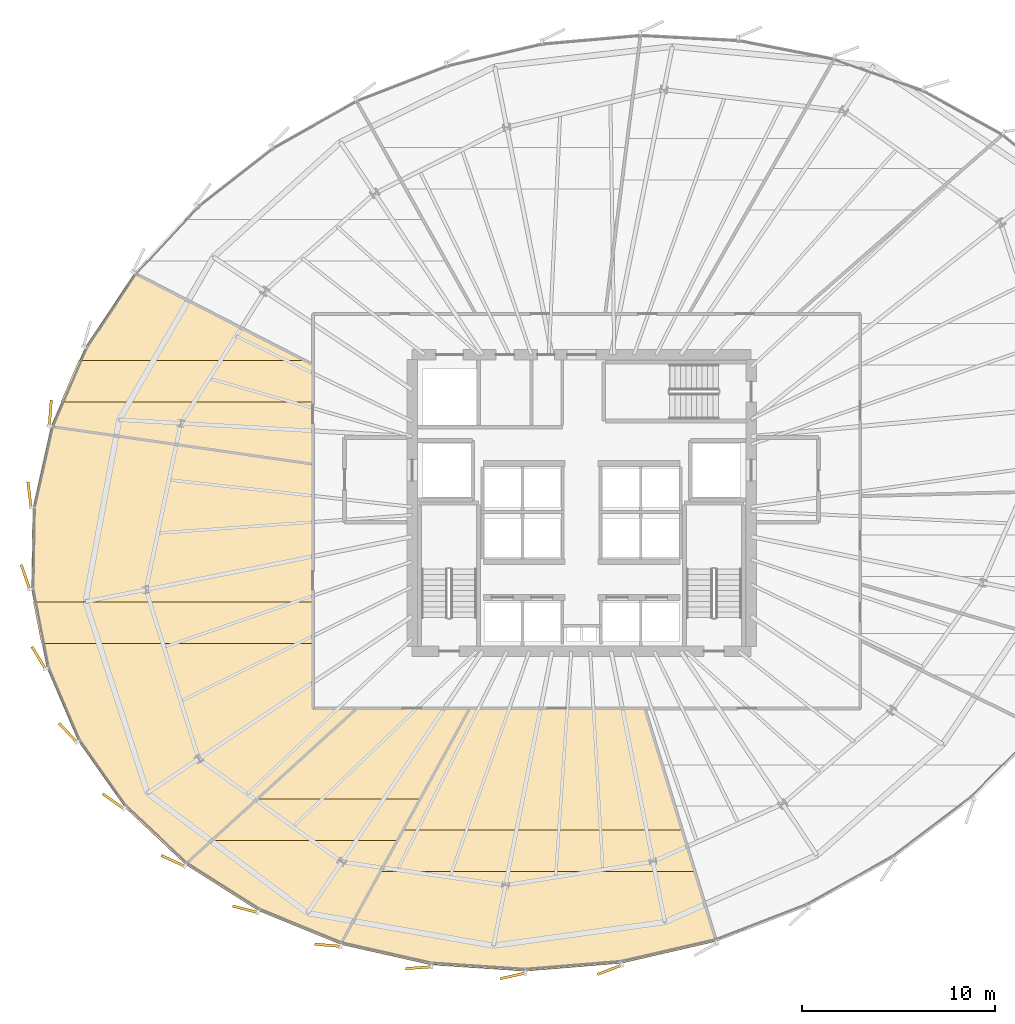
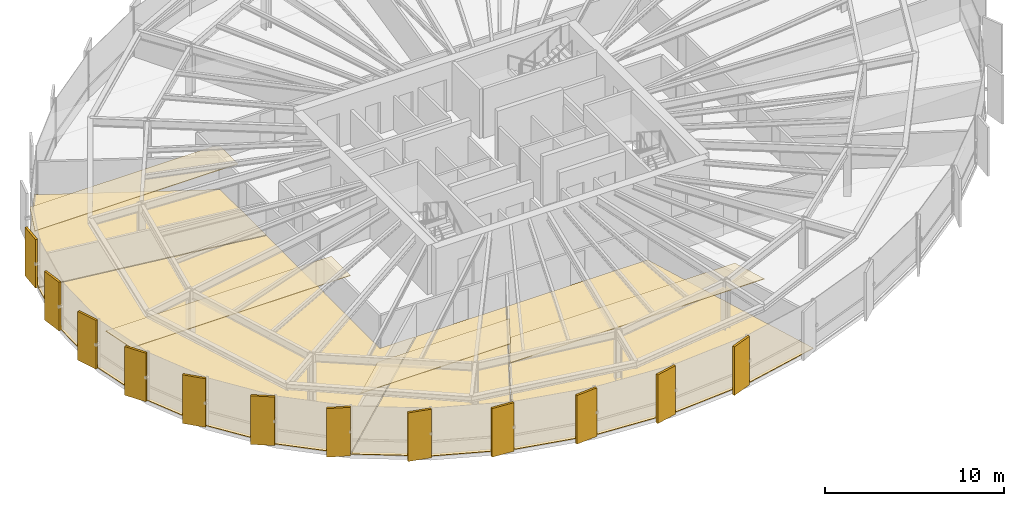
# One storey, part 32 of 35: 20 coverings.
"""IFC4 building model written with IfcOpenShell, lengths in metres."""

from ifc_helpers import new_model, si_unit, direction, frame, origin, origin_2d, place, context, subcontext, project, spatial, polyline, rectangle, outline, extrude, source, transform, mapped, material, layer, layer_set, type_object, element, save


model = new_model("IFC4")

# Units and contexts
model_context = context("Model", 3, precision=1e-05, world=origin(), true_north=direction((0.0, 1.0)))
body_context = subcontext(model_context, "Body", "Model", "MODEL_VIEW")
ifc_project = project(units=[si_unit("LENGTHUNIT", "METRE"), si_unit("AREAUNIT", "SQUARE_METRE"), si_unit("VOLUMEUNIT", "CUBIC_METRE"), si_unit("PLANEANGLEUNIT", "RADIAN"), si_unit("MASSUNIT", "GRAM", prefix="KILO"), si_unit("THERMODYNAMICTEMPERATUREUNIT", "KELVIN")], contexts=[model_context])

# Site, building, storey
site_placement = place(None, origin())
site = spatial("IfcSite", under=ifc_project, at=site_placement, CompositionType="ELEMENT")
building_placement = place(site_placement, origin())
building = spatial("IfcBuilding", under=site, at=building_placement, Name="Kethvar Cultural Tower", CompositionType="ELEMENT")
storey_placement = place(building_placement, frame((0.0, 0.0, 103.60009765625)))
storey = spatial("IfcBuildingStorey", under=building, at=storey_placement, Name="L25", CompositionType="ELEMENT", Elevation=103.60009765625)

# Coverings
ifc_material_1 = material(Name="Acoustic Mineral Fibre Ceiling")
ifc_layer_1 = layer(ifc_material_1, 0.0400390625, Name="Acoustic Mineral Fibre Ceiling")
ifc_layer_set_1 = layer_set([ifc_layer_1], Name="Acoustic Mineral Fibre Ceiling (40 mm)")
covering_type_1 = type_object("IfcCoveringType", Name="CV-ACOUSTIC-CEIL", PredefinedType="CEILING", material=ifc_layer_set_1)
covering_1_placement = place(storey_placement, frame((0.0, 0.0, 2.889892578125)))
element("IfcCovering", 1, at=covering_1_placement, inside=storey, type_object=covering_type_1, Name="L25 Room 01 Acoustic Ceiling Panel", PredefinedType="CEILING", context=body_context, shape_type="SweptSolid", body=[
    extrude(outline(polyline([(29.962890625, 12.4375), (38.458251953125, 12.4375), (37.28759765625, 10.28759765625), (27.610595703125, 10.28759765625), (29.962890625, 12.4375)])), origin(), (0.0, 0.0, 1.0), 0.0400390625),
])
covering_2_placement = place(storey_placement, frame((0.0, 0.0, 2.889892578125)))
element("IfcCovering", 2, at=covering_2_placement, inside=storey, type_object=covering_type_1, Name="L25 Room 02 Acoustic Ceiling Panel", PredefinedType="CEILING", context=body_context, shape_type="SweptSolid", body=[
    extrude(outline(polyline([(37.533935546875, 10.823486328125), (52.04345703125, 10.823486328125), (52.705078125, 8.673583984375), (36.36328125, 8.673583984375), (37.533935546875, 10.823486328125)])), origin(), (0.0, 0.0, 1.0), 0.0400390625),
])
covering_3_placement = place(storey_placement, frame((0.0, 0.0, 2.889892578125)))
element("IfcCovering", 3, at=covering_3_placement, inside=storey, type_object=covering_type_1, Name="L25 Room 11 Acoustic Ceiling Panel", PredefinedType="CEILING", context=body_context, shape_type="SweptSolid", body=[
    extrude(outline(polyline([(20.697998046875, 35.204833984375), (32.455810546875, 35.204833984375), (32.86962890625, 34.9833984375), (32.8701171875, 33.0546875), (19.767578125, 33.0546875), (20.697998046875, 35.204833984375)])), origin(), (0.0, 0.0, 1.0), 0.0400390625),
])
covering_4_placement = place(storey_placement, frame((0.0, 0.0, 2.889892578125)))
element("IfcCovering", 4, at=covering_4_placement, inside=storey, type_object=covering_type_1, Name="L25 Room 12 Acoustic Ceiling Panel", PredefinedType="CEILING", context=body_context, shape_type="SweptSolid", body=[
    extrude(outline(polyline([(18.337890625, 22.660888671875), (32.8701171875, 22.660888671875), (32.8701171875, 20.5107421875), (18.75634765625, 20.5107421875), (18.337890625, 22.660888671875)])), origin(), (0.0, 0.0, 1.0), 0.0400390625),
])
ifc_material_2 = material(Name="Honed Warm Limestone", Category="masonry")
ifc_layer_2 = layer(ifc_material_2, 0.030029296875, Name="Honed Warm Limestone", Category="masonry")
ifc_layer_set_2 = layer_set([ifc_layer_2], Name="Honed Warm Limestone (30 mm)")
covering_type_2 = type_object("IfcCoveringType", Name="CV-STONE-FLOOR", PredefinedType="FLOORING", material=ifc_layer_set_2)
covering_5_placement = place(storey_placement, origin())
element("IfcCovering", 5, at=covering_5_placement, inside=storey, type_object=covering_type_2, Name="L25 Room 01 Floor Finish", PredefinedType="FLOORING", context=body_context, shape_type="SweptSolid", body=[
    extrude(outline(polyline([(30.032470703125, 6.63330078125), (26.2783203125, 9.015625), (35.14501953125, 17.1201171875), (40.962158203125, 17.1201171875), (34.3017578125, 4.887451171875), (30.032470703125, 6.63330078125)])), origin(), (0.0, 0.0, 1.0), 0.02978515625),
])
covering_6_placement = place(storey_placement, origin())
element("IfcCovering", 6, at=covering_6_placement, inside=storey, type_object=covering_type_2, Name="L25 Room 02 Floor Finish", PredefinedType="FLOORING", context=body_context, shape_type="SweptSolid", body=[
    extrude(outline(polyline([(48.872314453125, 3.9091796875), (43.882080078125, 3.498046875), (38.980712890625, 3.825439453125), (34.341064453125, 4.875732421875), (41.0078125, 17.1201171875), (50.064697265625, 17.1201171875), (53.7802734375, 5.042236328125), (48.872314453125, 3.9091796875)])), origin(), (0.0, 0.0, 1.0), 0.02978515625),
])
covering_7_placement = place(storey_placement, origin())
element("IfcCovering", 7, at=covering_7_placement, inside=storey, type_object=covering_type_2, Name="L25 Room 11 Floor Finish", PredefinedType="FLOORING", context=body_context, shape_type="SweptSolid", body=[
    extrude(outline(polyline([(19.2685546875, 31.80126953125), (21.034423828125, 35.881591796875), (23.584228515625, 39.7255859375), (32.830078125, 34.96728515625), (32.830078125, 29.84033203125), (19.2685546875, 31.80126953125)])), origin(), (0.0, 0.0, 1.0), 0.02978515625),
])
covering_8_placement = place(storey_placement, origin())
element("IfcCovering", 8, at=covering_8_placement, inside=storey, type_object=covering_type_2, Name="L25 Room 12 Floor Finish", PredefinedType="FLOORING", context=body_context, shape_type="SweptSolid", body=[
    extrude(outline(polyline([(23.107666015625, 11.993896484375), (20.67724609375, 15.439208984375), (19.040283203125, 19.260009765625), (18.24658203125, 23.340087890625), (18.3203125, 27.5556640625), (19.25537109375, 31.7626953125), (32.830078125, 29.7998046875), (32.830322265625, 17.135986328125), (35.085693359375, 17.1201171875), (26.245849609375, 9.0400390625), (23.107666015625, 11.993896484375)])), origin(), (0.0, 0.0, 1.0), 0.02978515625),
])
ifc_material_3 = material(Name="Extruded Architectural Terracotta", Category="masonry")
ifc_layer_3 = layer(ifc_material_3, 0.135009765625, Name="Extruded Architectural Terracotta", Category="masonry")
ifc_layer_set_3 = layer_set([ifc_layer_3], Name="Extruded Architectural Terracotta (135 mm)")
covering_type_3 = type_object("IfcCoveringType", Name="Terracotta Facade Fin FIN-02", PredefinedType="CLADDING", material=ifc_layer_set_3)
shared_shape = source(origin(), body_context, "Body", "SweptSolid", [
    extrude(rectangle(XDim=1.35009765625, YDim=0.135009765625, at=origin_2d()), origin(), (0.0, 0.0, 1.0), 3.31005859375),
])
for number, where, z_axis, x_axis, name in (
    (9, (19.215087890625, 32.475341796875, 0.019775390625), (0.0, 0.0, 1.0), (0.078981069644, 0.996876115993, 0.0), "L25 Vertical Terracotta Fin 3.4"),
    (10, (18.13818359375, 28.2294921875, 0.019775390625), (0.0, 0.0, 1.0), (-0.121869343405, 0.992546151641, 0.0), "L25 Vertical Terracotta Fin 3.5"),
    (11, (17.92822265625, 23.961181640625, 0.019775390625), (0.0, 0.0, 1.0), (-0.32573317362, 0.945461738836, 0.0), "L25 Vertical Terracotta Fin 3.6"),
    (12, (18.61328125, 19.76416015625, 0.019775390625), (0.0, 0.0, 1.0), (-0.517877712257, 0.855454659901, 0.0), "L25 Vertical Terracotta Fin 4.1"),
    (13, (20.13232421875, 15.87548828125, 0.019775390625), (0.0, 0.0, 1.0), (-0.684547105929, 0.728968627421, 0.0), "L25 Vertical Terracotta Fin 4.2"),
    (14, (22.486572265625, 12.312255859375, 0.019775390625), (0.0, 0.0, 1.0), (-0.816440043737, 0.577430216549, 0.0), "L25 Vertical Terracotta Fin 4.3"),
    (15, (25.587890625, 9.22412109375, 0.019775390625), (0.0, 0.0, 1.0), (-0.910683660806, 0.413104429825, 0.0), "L25 Vertical Terracotta Fin 4.4"),
    (16, (29.338623046875, 6.70751953125, 0.019775390625), (0.0, 0.0, 1.0), (-0.969273856799, 0.245984126575, 0.0), "L25 Vertical Terracotta Fin 4.5"),
    (17, (33.62060546875, 4.840087890625, 0.019775390625), (0.0, 0.0, 1.0), (-0.996551034561, 0.082982139742, 0.0), "L25 Vertical Terracotta Fin 4.6"),
    (18, (38.338134765625, 3.673828125, 0.019775390625), (0.0, 0.0, 1.0), (-0.997339981418, -0.072890064247, 0.0), "L25 Vertical Terracotta Fin 5.1"),
    (19, (43.23046875, 3.249755859375, 0.019775390625), (0.0, 0.0, 1.0), (-0.975496158687, -0.220016463901, 0.0), "L25 Vertical Terracotta Fin 5.2"),
    (20, (48.26318359375, 3.569580078125, 0.019775390625), (0.0, 0.0, 1.0), (-0.933580426497, -0.358367949545, 0.0), "L25 Vertical Terracotta Fin 5.3"),
):
    element("IfcCovering", number, at=place(storey_placement, frame(where, z_axis=z_axis, x_axis=x_axis)), inside=storey, type_object=covering_type_3, Name=name, PredefinedType="CLADDING", context=body_context, shape_type="MappedRepresentation", body=[
        mapped(shared_shape, transform((0.0, 0.0, 0.0), scale=1.0)),
    ])

save(model, "model.ifc")
